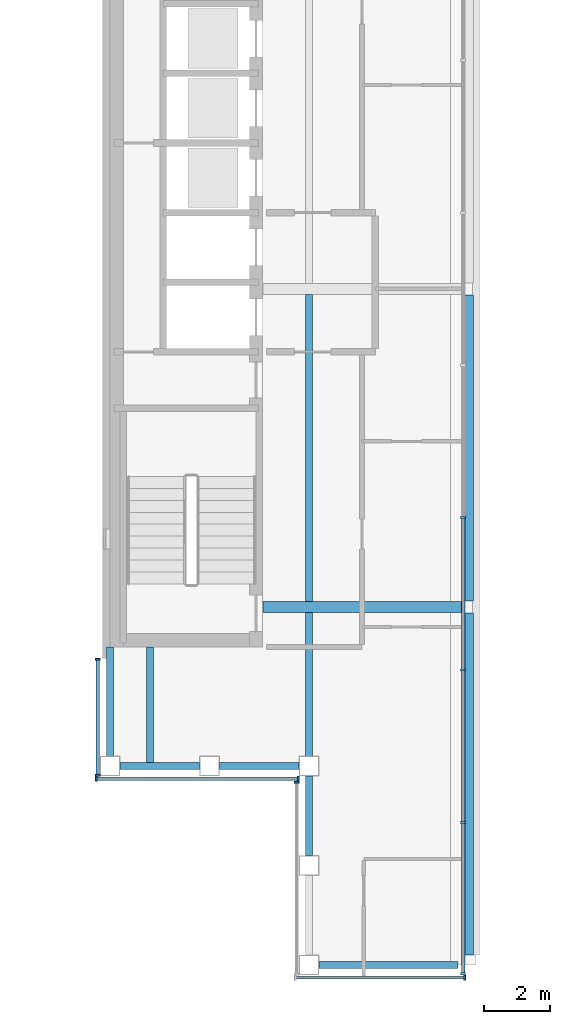
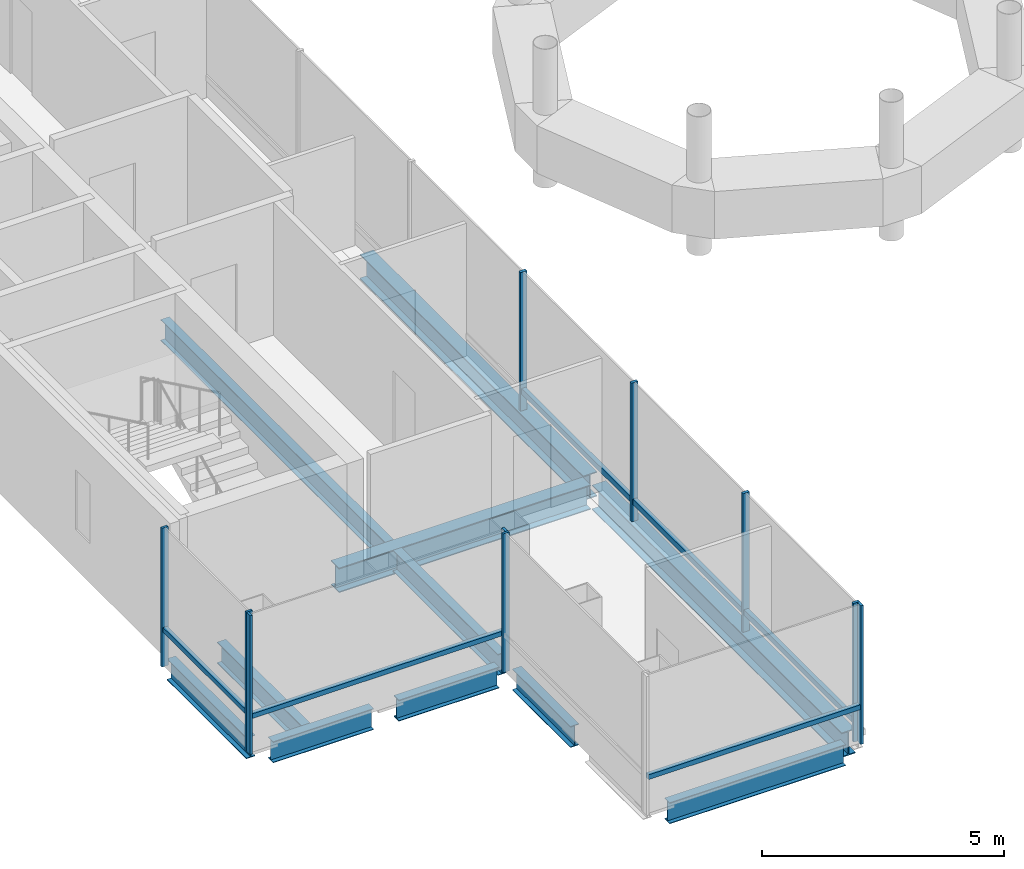
# One storey, part 4 of 21: 16 members, 11 beams, 5 elements without a shape of their own.
"""IFC4 building model written with IfcOpenShell, lengths in metres."""

from ifc_helpers import new_model, si_unit, direction, frame, origin, origin_2d, place, context, subcontext, project, spatial, rectangle, i_section, extrude, material, material_profile, profile_set, type_object, element, aggregate, save


model = new_model("IFC4")

# Units and contexts
model_context = context("Model", 3, precision=1e-05, world=origin(), true_north=direction((0.0, 1.0)))
body_context = subcontext(model_context, "Body", "Model", "MODEL_VIEW")
ifc_project = project(units=[si_unit("LENGTHUNIT", "METRE"), si_unit("AREAUNIT", "SQUARE_METRE"), si_unit("VOLUMEUNIT", "CUBIC_METRE"), si_unit("PLANEANGLEUNIT", "RADIAN"), si_unit("MASSUNIT", "GRAM", prefix="KILO")], contexts=[model_context])

# Site, building, storey
site_placement = place(None, origin())
site = spatial("IfcSite", under=ifc_project, at=site_placement, CompositionType="ELEMENT")
building_placement = place(site_placement, origin())
building = spatial("IfcBuilding", under=site, at=building_placement, Name="Cobrizo Arcos Hotel Tower", CompositionType="ELEMENT")
storey_placement = place(building_placement, frame((0.0, 0.0, 279.5)))
storey = spatial("IfcBuildingStorey", under=building, at=storey_placement, Name="L74", CompositionType="ELEMENT", Elevation=279.5)

# Curtain wall, member
ifc_material_1 = material(Name="Aluminium 6063-T6 anodised bronze", Category="aluminium")
curtain_wall_type_1 = type_object("IfcCurtainWallType", Name="CW-A guest facade", PredefinedType="NOTDEFINED", material=ifc_material_1)
curtain_wall_1_placement = place(storey_placement, origin())
curtain_wall_1 = element("IfcCurtainWall", 1, at=curtain_wall_1_placement, inside=storey, type_object=curtain_wall_type_1, Name="CW-A L74 S face", PredefinedType="NOTDEFINED")
ifc_material_profile_1 = material_profile(ifc_material_1, rectangle(XDim=0.14990234375, YDim=0.06005859375, at=origin_2d()), Name="CW-A mullion 150x60")
ifc_profile_set_1 = profile_set([ifc_material_profile_1], Name="Aluminium 6063-T6 anodised bronze")
member_type_1 = type_object("IfcMemberType", Name="CW-A mullion 150x60", PredefinedType="MULLION", material=ifc_profile_set_1)
member_1_placement = place(storey_placement, frame((-9.707763671875, -20.77490234375, 0.0), z_axis=(0.0, 0.0, 1.0), x_axis=(0.0, -1.0, 0.0)))
member_1 = element("IfcMember", 2, at=member_1_placement, type_object=member_type_1, Name="CW-A mullion 2", PredefinedType="MULLION", context=body_context, shape_type="SweptSolid", body=[
    extrude(rectangle(XDim=0.14990234375, YDim=0.06005859375, at=origin_2d()), origin(), (0.0, 0.0, 1.0), 3.5),
])

# Curtain wall, members
curtain_wall_2_placement = place(storey_placement, origin())
curtain_wall_2 = element("IfcCurtainWall", 3, at=curtain_wall_2_placement, inside=storey, type_object=curtain_wall_type_1, Name="CW-A L74 W face", PredefinedType="NOTDEFINED")
member_2_placement = place(storey_placement, frame((-20.77490234375, -11.179931640625, 0.0), z_axis=(0.0, 0.0, 1.0), x_axis=(-1.0, 0.0, 0.0)))
member_2 = element("IfcMember", 4, at=member_2_placement, type_object=member_type_1, Name="CW-A mullion 1", PredefinedType="MULLION", context=body_context, shape_type="SweptSolid", body=[
    extrude(rectangle(XDim=0.14990234375, YDim=0.06005859375, at=origin_2d()), origin(), (0.0, 0.0, 1.0), 3.5),
])
member_3_placement = place(storey_placement, frame((-20.77490234375, -14.669921875, 0.0), z_axis=(0.0, 0.0, 1.0), x_axis=(-1.0, 0.0, 0.0)))
member_3 = element("IfcMember", 5, at=member_3_placement, type_object=member_type_1, Name="CW-A mullion 2", PredefinedType="MULLION", context=body_context, shape_type="SweptSolid", body=[
    extrude(rectangle(XDim=0.14990234375, YDim=0.06005859375, at=origin_2d()), origin(), (0.0, 0.0, 1.0), 3.5),
])

curtain_wall_3_placement = place(storey_placement, origin())
curtain_wall_3 = element("IfcCurtainWall", 6, at=curtain_wall_3_placement, inside=storey, type_object=curtain_wall_type_1, Name="CW-A L74 S face", PredefinedType="NOTDEFINED")
member_4_placement = place(storey_placement, frame((-20.820068359375, -14.77490234375, 0.0), z_axis=(0.0, 0.0, 1.0), x_axis=(0.0, -1.0, 0.0)))
member_4 = element("IfcMember", 7, at=member_4_placement, type_object=member_type_1, Name="CW-A mullion 1", PredefinedType="MULLION", context=body_context, shape_type="SweptSolid", body=[
    extrude(rectangle(XDim=0.14990234375, YDim=0.06005859375, at=origin_2d()), origin(), (0.0, 0.0, 1.0), 3.5),
])
member_5_placement = place(storey_placement, frame((-14.72998046875, -14.77490234375, 0.0), z_axis=(0.0, 0.0, 1.0), x_axis=(0.0, -1.0, 0.0)))
member_5 = element("IfcMember", 8, at=member_5_placement, type_object=member_type_1, Name="CW-A mullion 2", PredefinedType="MULLION", context=body_context, shape_type="SweptSolid", body=[
    extrude(rectangle(XDim=0.14990234375, YDim=0.06005859375, at=origin_2d()), origin(), (0.0, 0.0, 1.0), 3.5),
])

# Curtain wall, member
curtain_wall_4_placement = place(storey_placement, origin())
curtain_wall_4 = element("IfcCurtainWall", 9, at=curtain_wall_4_placement, inside=storey, type_object=curtain_wall_type_1, Name="CW-A L74 W face", PredefinedType="NOTDEFINED")
member_6_placement = place(storey_placement, frame((-14.77490234375, -14.8798828125, 0.0), z_axis=(0.0, 0.0, 1.0), x_axis=(-1.0, 0.0, 0.0)))
member_6 = element("IfcMember", 10, at=member_6_placement, type_object=member_type_1, Name="CW-A mullion 1", PredefinedType="MULLION", context=body_context, shape_type="SweptSolid", body=[
    extrude(rectangle(XDim=0.14990234375, YDim=0.06005859375, at=origin_2d()), origin(), (0.0, 0.0, 1.0), 3.5),
])
aggregate(curtain_wall_4, [member_6])

# Member
ifc_material_profile_2 = material_profile(ifc_material_1, rectangle(XDim=0.10009765625, YDim=0.1201171875, at=origin_2d()), Name="CW-A transom 120x100")
ifc_profile_set_2 = profile_set([ifc_material_profile_2], Name="Aluminium 6063-T6 anodised bronze")
member_type_2 = type_object("IfcMemberType", Name="CW-A transom 120x100", PredefinedType="USERDEFINED", material=ifc_profile_set_2)
member_7_placement = place(storey_placement, frame((-14.7900390625, -20.77490234375, 0.929931640625), z_axis=(1.0, 0.0, 0.0), x_axis=(0.0, 1.0, 0.0)))
member_7 = element("IfcMember", 11, at=member_7_placement, type_object=member_type_2, Name="CW-A transom 2341", ObjectType="TRANSOM", PredefinedType="USERDEFINED", context=body_context, shape_type="SweptSolid", body=[
    extrude(rectangle(XDim=0.10009765625, YDim=0.1201171875, at=origin_2d()), origin(), (0.0, 0.0, 1.0), 5.05224609375),
])

aggregate(curtain_wall_1, [member_1, member_7])

member_8_placement = place(storey_placement, frame((-20.77490234375, -11.2099609375, 0.929931640625), z_axis=(0.0, -1.0, 0.0), x_axis=(1.0, 0.0, 0.0)))
member_8 = element("IfcMember", 12, at=member_8_placement, type_object=member_type_2, Name="CW-A transom 2355", ObjectType="TRANSOM", PredefinedType="USERDEFINED", context=body_context, shape_type="SweptSolid", body=[
    extrude(rectangle(XDim=0.10009765625, YDim=0.1201171875, at=origin_2d()), origin(), (0.0, 0.0, 1.0), 3.429931640625),
])

aggregate(curtain_wall_2, [member_2, member_3, member_8])

member_9_placement = place(storey_placement, frame((-20.7900390625, -14.77490234375, 0.929931640625), z_axis=(1.0, 0.0, 0.0), x_axis=(0.0, 1.0, 0.0)))
member_9 = element("IfcMember", 13, at=member_9_placement, type_object=member_type_2, Name="CW-A transom 2356", ObjectType="TRANSOM", PredefinedType="USERDEFINED", context=body_context, shape_type="SweptSolid", body=[
    extrude(rectangle(XDim=0.10009765625, YDim=0.1201171875, at=origin_2d()), origin(), (0.0, 0.0, 1.0), 6.030029296875),
])

aggregate(curtain_wall_3, [member_4, member_5, member_9])

# Curtain wall, members
curtain_wall_type_2 = type_object("IfcCurtainWallType", Name="CW-C arch infill and crown glazing", PredefinedType="NOTDEFINED", material=ifc_material_1)
curtain_wall_5_placement = place(storey_placement, origin())
curtain_wall_5 = element("IfcCurtainWall", 14, at=curtain_wall_5_placement, inside=storey, type_object=curtain_wall_type_2, Name="CW-C L74 E face", PredefinedType="NOTDEFINED")
ifc_material_profile_3 = material_profile(ifc_material_1, rectangle(XDim=0.14990234375, YDim=0.070068359375, at=origin_2d()), Name="CW-C mullion 150x70")
ifc_profile_set_3 = profile_set([ifc_material_profile_3], Name="Aluminium 6063-T6 anodised bronze")
member_type_3 = type_object("IfcMemberType", Name="CW-C mullion 150x70", PredefinedType="MULLION", material=ifc_profile_set_3)
member_10_placement = place(storey_placement, frame((-9.7529296875, -20.6650390625, 0.0), z_axis=(0.0, 0.0, 1.0), x_axis=(1.0, 0.0, 0.0)))
member_10 = element("IfcMember", 15, at=member_10_placement, type_object=member_type_3, Name="CW-C mullion 1", PredefinedType="MULLION", context=body_context, shape_type="SweptSolid", body=[
    extrude(rectangle(XDim=0.14990234375, YDim=0.070068359375, at=origin_2d()), origin(), (0.0, 0.0, 1.0), 3.5),
])
member_11_placement = place(storey_placement, frame((-9.7529296875, -16.10009765625, 0.0), z_axis=(0.0, 0.0, 1.0), x_axis=(1.0, 0.0, 0.0)))
member_11 = element("IfcMember", 16, at=member_11_placement, type_object=member_type_3, Name="CW-C mullion 2", PredefinedType="MULLION", context=body_context, shape_type="SweptSolid", body=[
    extrude(rectangle(XDim=0.14990234375, YDim=0.070068359375, at=origin_2d()), origin(), (0.0, 0.0, 1.0), 3.5),
])
member_12_placement = place(storey_placement, frame((-9.7529296875, -11.5, 0.0), z_axis=(0.0, 0.0, 1.0), x_axis=(1.0, 0.0, 0.0)))
member_12 = element("IfcMember", 17, at=member_12_placement, type_object=member_type_3, Name="CW-C mullion 3", PredefinedType="MULLION", context=body_context, shape_type="SweptSolid", body=[
    extrude(rectangle(XDim=0.14990234375, YDim=0.070068359375, at=origin_2d()), origin(), (0.0, 0.0, 1.0), 3.5),
])
member_13_placement = place(storey_placement, frame((-9.7529296875, -6.89990234375, 0.0), z_axis=(0.0, 0.0, 1.0), x_axis=(1.0, 0.0, 0.0)))
member_13 = element("IfcMember", 18, at=member_13_placement, type_object=member_type_3, Name="CW-C mullion 4", PredefinedType="MULLION", context=body_context, shape_type="SweptSolid", body=[
    extrude(rectangle(XDim=0.14990234375, YDim=0.070068359375, at=origin_2d()), origin(), (0.0, 0.0, 1.0), 3.5),
])
ifc_material_profile_4 = material_profile(ifc_material_1, rectangle(XDim=0.10009765625, YDim=0.139892578125, at=origin_2d()), Name="CW-C transom 140x100")
ifc_profile_set_4 = profile_set([ifc_material_profile_4], Name="Aluminium 6063-T6 anodised bronze")
member_type_4 = type_object("IfcMemberType", Name="CW-C transom 140x100", PredefinedType="USERDEFINED", material=ifc_profile_set_4)
member_14_placement = place(storey_placement, frame((-9.7529296875, -20.6298828125, 0.5), z_axis=(0.0, 1.0, 0.0), x_axis=(-1.0, 0.0, 0.0)))
member_14 = element("IfcMember", 19, at=member_14_placement, type_object=member_type_4, Name="CW-C transom 2342", ObjectType="TRANSOM", PredefinedType="USERDEFINED", context=body_context, shape_type="SweptSolid", body=[
    extrude(rectangle(XDim=0.10009765625, YDim=0.139892578125, at=origin_2d()), origin(), (0.0, 0.0, 1.0), 4.494873046875),
])
member_15_placement = place(storey_placement, frame((-9.7529296875, -16.06494140625, 0.5), z_axis=(0.0, 1.0, 0.0), x_axis=(-1.0, 0.0, 0.0)))
member_15 = element("IfcMember", 20, at=member_15_placement, type_object=member_type_4, Name="CW-C transom 2343", ObjectType="TRANSOM", PredefinedType="USERDEFINED", context=body_context, shape_type="SweptSolid", body=[
    extrude(rectangle(XDim=0.10009765625, YDim=0.139892578125, at=origin_2d()), origin(), (0.0, 0.0, 1.0), 4.530029296875),
])
member_16_placement = place(storey_placement, frame((-9.7529296875, -11.465087890625, 0.5), z_axis=(0.0, 1.0, 0.0), x_axis=(-1.0, 0.0, 0.0)))
member_16 = element("IfcMember", 21, at=member_16_placement, type_object=member_type_4, Name="CW-C transom 2344", ObjectType="TRANSOM", PredefinedType="USERDEFINED", context=body_context, shape_type="SweptSolid", body=[
    extrude(rectangle(XDim=0.10009765625, YDim=0.139892578125, at=origin_2d()), origin(), (0.0, 0.0, 1.0), 4.530029296875),
])
aggregate(curtain_wall_5, [member_10, member_11, member_12, member_13, member_14, member_15, member_16])

# Beams
ifc_material_2 = material(Name="Steel ASTM A992 Grade 50", Category="steel")
ifc_material_profile_5 = material_profile(ifc_material_2, i_section(OverallWidth=0.209228515625, OverallDepth=0.533447265625, WebThickness=0.01025390625, FlangeThickness=0.015625, at=origin_2d()), Name="W21X62")
ifc_profile_set_5 = profile_set([ifc_material_profile_5], Name="Steel ASTM A992 Grade 50")
beam_type_1 = type_object("IfcBeamType", Name="W21X62 joist", PredefinedType="JOIST", material=ifc_profile_set_5)
beam_1_placement = place(storey_placement, frame((-19.199951171875, -14.31005859375, -0.416748046875), z_axis=(0.0, 1.0, 0.0), x_axis=(-1.0, 0.0, 0.0)))
element("IfcBeam", 22, at=beam_1_placement, inside=storey, type_object=beam_type_1, Name="Floor joist J1, L74, no. 001", PredefinedType="JOIST", context=body_context, shape_type="SweptSolid", body=[
    extrude(i_section(OverallWidth=0.209228515625, OverallDepth=0.533447265625, WebThickness=0.01025390625, FlangeThickness=0.015625, at=origin_2d()), origin(), (0.0, 0.0, 1.0), 3.5),
])
beam_2_placement = place(storey_placement, frame((-14.39990234375, -14.10009765625, -0.416748046875), z_axis=(0.0, 1.0, 0.0), x_axis=(-1.0, 0.0, 0.0)))
element("IfcBeam", 23, at=beam_2_placement, inside=storey, type_object=beam_type_1, Name="Floor joist J1, L74, no. 003", PredefinedType="JOIST", context=body_context, shape_type="SweptSolid", body=[
    extrude(i_section(OverallWidth=0.209228515625, OverallDepth=0.533447265625, WebThickness=0.01025390625, FlangeThickness=0.015625, at=origin_2d()), origin(), (0.0, 0.0, 1.0), 4.336181640625),
])
beam_3_placement = place(storey_placement, frame((-14.39990234375, -9.43603515625, -0.416748046875), z_axis=(0.0, 1.0, 0.0), x_axis=(-1.0, 0.0, 0.0)))
element("IfcBeam", 24, at=beam_3_placement, inside=storey, type_object=beam_type_1, Name="Floor joist J1, L74, no. 004", PredefinedType="JOIST", context=body_context, shape_type="SweptSolid", body=[
    extrude(i_section(OverallWidth=0.209228515625, OverallDepth=0.533447265625, WebThickness=0.01025390625, FlangeThickness=0.015625, at=origin_2d()), origin(), (0.0, 0.0, 1.0), 9.272216796875),
])
ifc_material_profile_6 = material_profile(ifc_material_2, i_section(OverallWidth=0.209228515625, OverallDepth=0.533447265625, WebThickness=0.01025390625, FlangeThickness=0.015625, at=origin_2d()), Name="W21X62")
ifc_profile_set_6 = profile_set([ifc_material_profile_6], Name="Steel ASTM A992 Grade 50")
beam_type_2 = type_object("IfcBeamType", Name="W21X62 spandrel", PredefinedType="SPANDREL", material=ifc_profile_set_6)
beam_4_placement = place(storey_placement, frame((-20.39990234375, -14.10009765625, -0.416748046875), z_axis=(0.0, 1.0, 0.0), x_axis=(-1.0, 0.0, 0.0)))
element("IfcBeam", 25, at=beam_4_placement, inside=storey, type_object=beam_type_2, Name="Spandrel beam W21X62, L74, no. 001", PredefinedType="SPANDREL", context=body_context, shape_type="SweptSolid", body=[
    extrude(i_section(OverallWidth=0.209228515625, OverallDepth=0.533447265625, WebThickness=0.01025390625, FlangeThickness=0.015625, at=origin_2d()), origin(), (0.0, 0.0, 1.0), 3.2900390625),
])
beam_5_placement = place(storey_placement, frame((-9.89990234375, -20.39990234375, -0.416748046875), z_axis=(-1.0, 0.0, 0.0), x_axis=(0.0, -1.0, 0.0)))
element("IfcBeam", 26, at=beam_5_placement, inside=storey, type_object=beam_type_2, Name="Spandrel beam W21X62, L74, no. 009", PredefinedType="SPANDREL", context=body_context, shape_type="SweptSolid", body=[
    extrude(i_section(OverallWidth=0.209228515625, OverallDepth=0.533447265625, WebThickness=0.01025390625, FlangeThickness=0.015625, at=origin_2d()), origin(), (0.0, 0.0, 1.0), 4.2001953125),
])
for number, where, z_axis, x_axis, name in (
    (27, (-14.39990234375, -17.10009765625, -0.416748046875), (0.0, 1.0, 0.0), (-1.0, 0.0, 0.0), "Spandrel beam W21X62, L74, no. 011"),
    (28, (-14.699951171875, -14.39990234375, -0.416748046875), (-1.0, 0.0, 0.0), (0.0, -1.0, 0.0), "Spandrel beam W21X62, L74, no. 012"),
    (29, (-17.699951171875, -14.39990234375, -0.416748046875), (-1.0, 0.0, 0.0), (0.0, -1.0, 0.0), "Spandrel beam W21X62, L74, no. 013"),
):
    element("IfcBeam", number, at=place(storey_placement, frame(where, z_axis=z_axis, x_axis=x_axis)), inside=storey, type_object=beam_type_2, Name=name, PredefinedType="SPANDREL", context=body_context, shape_type="SweptSolid", body=[
        extrude(i_section(OverallWidth=0.209228515625, OverallDepth=0.533447265625, WebThickness=0.01025390625, FlangeThickness=0.015625, at=origin_2d()), origin(), (0.0, 0.0, 1.0), 2.400146484375),
    ])
ifc_material_profile_7 = material_profile(ifc_material_2, i_section(OverallWidth=0.32763671875, OverallDepth=0.622314453125, WebThickness=0.015380859375, FlangeThickness=0.0244140625, at=origin_2d()), Name="W24X131")
ifc_profile_set_7 = profile_set([ifc_material_profile_7], Name="Steel ASTM A992 Grade 50")
beam_type_3 = type_object("IfcBeamType", Name="W24X131 girder", PredefinedType="BEAM", material=ifc_profile_set_7)
beam_6_placement = place(storey_placement, frame((-15.7900390625, -9.60009765625, -0.461181640625), z_axis=(1.0, 0.0, 0.0), x_axis=(0.0, 1.0, 0.0)))
element("IfcBeam", 30, at=beam_6_placement, inside=storey, type_object=beam_type_3, Name="Floor girder G1, L74, no. 001", PredefinedType="BEAM", context=body_context, shape_type="SweptSolid", body=[
    extrude(i_section(OverallWidth=0.32763671875, OverallDepth=0.622314453125, WebThickness=0.015380859375, FlangeThickness=0.0244140625, at=origin_2d()), origin(), (0.0, 0.0, 1.0), 6.005859375),
])
beam_7_placement = place(storey_placement, frame((-9.60009765625, -20.10009765625, -0.461181640625), z_axis=(0.0, 1.0, 0.0), x_axis=(-1.0, 0.0, 0.0)))
element("IfcBeam", 31, at=beam_7_placement, inside=storey, type_object=beam_type_3, Name="Floor girder G1, L74, no. 007", PredefinedType="BEAM", context=body_context, shape_type="SweptSolid", body=[
    extrude(i_section(OverallWidth=0.32763671875, OverallDepth=0.622314453125, WebThickness=0.015380859375, FlangeThickness=0.0244140625, at=origin_2d()), origin(), (0.0, 0.0, 1.0), 10.31591796875),
])
beam_8_placement = place(storey_placement, frame((-9.60009765625, -9.415771484375, -0.461181640625), z_axis=(0.0, 1.0, 0.0), x_axis=(-1.0, 0.0, 0.0)))
element("IfcBeam", 32, at=beam_8_placement, inside=storey, type_object=beam_type_3, Name="Floor girder G1, L74, no. 008", PredefinedType="BEAM", context=body_context, shape_type="SweptSolid", body=[
    extrude(i_section(OverallWidth=0.32763671875, OverallDepth=0.622314453125, WebThickness=0.015380859375, FlangeThickness=0.0244140625, at=origin_2d()), origin(), (0.0, 0.0, 1.0), 9.231689453125),
])

save(model, "model.ifc")
